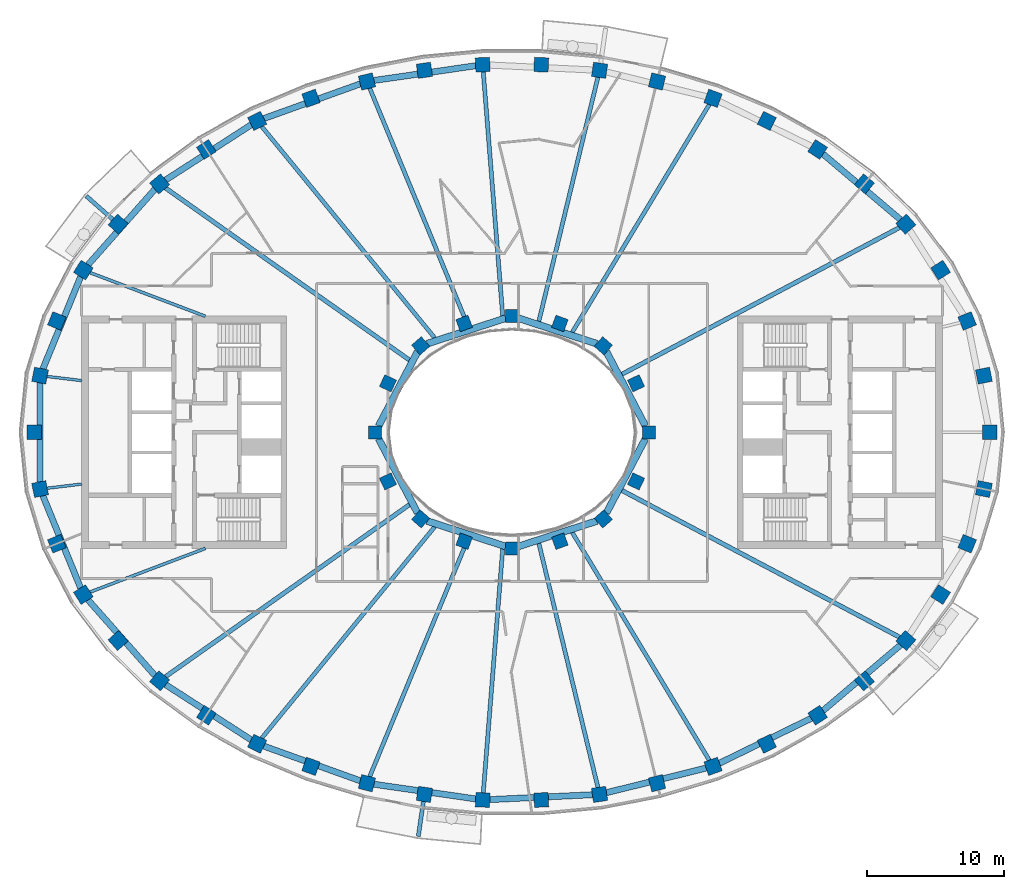
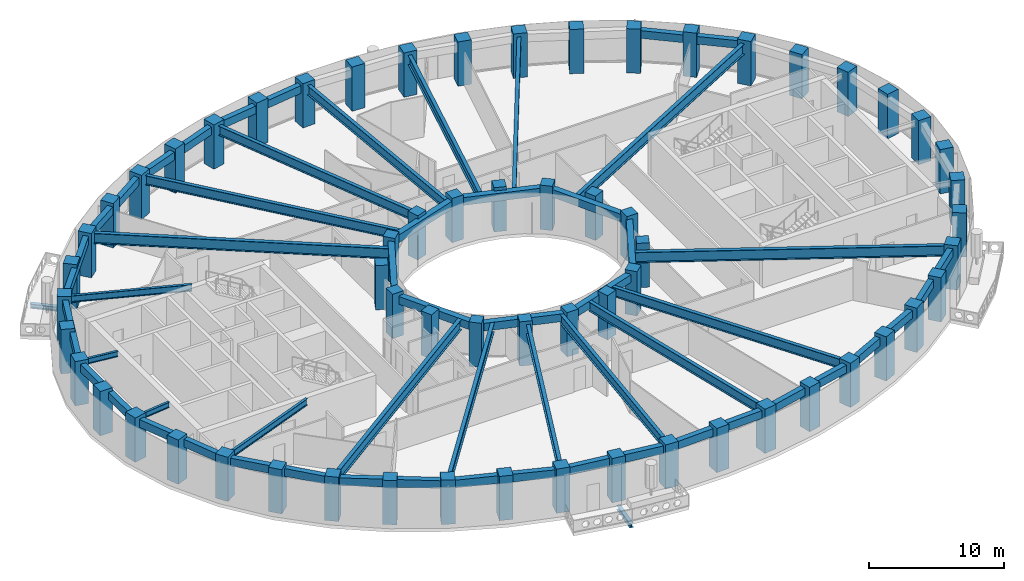
# One storey, part 1 of 16: 62 columns, 44 beams.
"""IFC4 building model written with IfcOpenShell, lengths in metres."""

from ifc_helpers import new_model, si_unit, direction, frame, origin, origin_2d, place, context, subcontext, project, spatial, rectangle, i_section, extrude, material, material_profile, profile_set, type_object, element, save


model = new_model("IFC4")

# Units and contexts
model_context = context("Model", 3, precision=1e-05, world=origin(), true_north=direction((0.0, 1.0)))
body_context = subcontext(model_context, "Body", "Model", "MODEL_VIEW")
ifc_project = project(units=[si_unit("LENGTHUNIT", "METRE"), si_unit("AREAUNIT", "SQUARE_METRE"), si_unit("VOLUMEUNIT", "CUBIC_METRE"), si_unit("PLANEANGLEUNIT", "RADIAN"), si_unit("MASSUNIT", "GRAM", prefix="KILO")], contexts=[model_context])

# Site, building, storey
site_placement = place(None, origin())
site = spatial("IfcSite", under=ifc_project, at=site_placement, CompositionType="ELEMENT")
building_placement = place(site_placement, origin())
building = spatial("IfcBuilding", under=site, at=building_placement, Name="Noorbagh Ring Tower", CompositionType="ELEMENT")
storey_placement = place(building_placement, frame((0.0, 0.0, 261.5)))
storey = spatial("IfcBuildingStorey", under=building, at=storey_placement, Name="L55", CompositionType="ELEMENT", Elevation=261.5)

# Columns
ifc_material_1 = material(Name="Concrete C50/60", Category="concrete")
ifc_material_profile_1 = material_profile(ifc_material_1, rectangle(XDim=1.050048828125, YDim=1.050048828125, at=origin_2d()), Name="RC1050x1050")
ifc_profile_set_1 = profile_set([ifc_material_profile_1], Name="Concrete C50/60")
column_type_1 = type_object("IfcColumnType", Name="STR-COL-RC1050x1050-C50-60", PredefinedType="COLUMN", material=ifc_profile_set_1)
for number, where, z_axis, x_axis, name in (
    (1, (34.944580078125, 0.0, 0.0), (0.0, 0.0, 1.0), (0.0, 1.0, 0.0), "L55/col/R1-01"),
    (2, (34.52685546875, 4.150634765625, 0.0), (0.0, 0.0, 1.0), (-0.19723040178, 0.9803571638, 0.0), "L55/col/R1-02"),
    (3, (33.30517578125, 8.1494140625, 0.0), (0.0, 0.0, 1.0), (-0.378989499959, 0.925400971969, 0.0), "L55/col/R1-03"),
    (4, (31.364990234375, 11.87109375, 0.0), (0.0, 0.0, 1.0), (-0.535190403059, 0.844731455833, 0.0), "L55/col/R1-04"),
    (5, (28.81884765625, 15.23046875, 0.0), (0.0, 0.0, 1.0), (-0.662635642662, 0.748941923699, 0.0), "L55/col/R1-05"),
    (6, (25.78271484375, 18.180419921875, 0.0), (0.0, 0.0, 1.0), (-0.763035199656, 0.646356932419, 0.0), "L55/col/R1-06"),
    (7, (22.362060546875, 20.699951171875, 0.0), (0.0, 0.0, 1.0), (-0.840247639643, 0.542202825586, 0.0), "L55/col/R1-07"),
    (8, (18.646240234375, 22.785400390625, 0.0), (0.0, 0.0, 1.0), (-0.898399080868, 0.439180021741, 0.0), "L55/col/R1-08"),
    (9, (14.70947265625, 24.44091796875, 0.0), (0.0, 0.0, 1.0), (-0.941024726094, 0.338337797003, 0.0), "L55/col/R1-09"),
    (10, (10.61328125, 25.673583984375, 0.0), (0.0, 0.0, 1.0), (-0.970829360981, 0.239771457553, 0.0), "L55/col/R1-10"),
    (11, (6.4091796875, 26.49072265625, 0.0), (0.0, 0.0, 1.0), (-0.989713114048, 0.143066249975, 0.0), "L55/col/R1-11"),
    (12, (2.14306640625, 26.89794921875, 0.0), (0.0, 0.0, 1.0), (-0.998868731212, 0.047552684538, 0.0), "L55/col/R1-12"),
    (13, (-2.14306640625, 26.89794921875, 0.0), (0.0, 0.0, 1.0), (-0.998868731212, -0.047552684538, 0.0), "L55/col/R1-13"),
    (14, (-6.4091796875, 26.49072265625, 0.0), (0.0, 0.0, 1.0), (-0.989713114048, -0.143066249975, 0.0), "L55/col/R1-14"),
    (15, (-10.61328125, 25.673583984375, 0.0), (0.0, 0.0, 1.0), (-0.970829360981, -0.239771457553, 0.0), "L55/col/R1-15"),
    (16, (-14.70947265625, 24.44091796875, 0.0), (0.0, 0.0, 1.0), (-0.941024726094, -0.338337797003, 0.0), "L55/col/R1-16"),
    (17, (-18.646240234375, 22.785400390625, 0.0), (0.0, 0.0, 1.0), (-0.898399080868, -0.439180021741, 0.0), "L55/col/R1-17"),
    (18, (-22.362060546875, 20.699951171875, 0.0), (0.0, 0.0, 1.0), (-0.840247639643, -0.542202825586, 0.0), "L55/col/R1-18"),
    (19, (-25.78271484375, 18.180419921875, 0.0), (0.0, 0.0, 1.0), (-0.763035199656, -0.646356932419, 0.0), "L55/col/R1-19"),
    (20, (-28.81884765625, 15.23046875, 0.0), (0.0, 0.0, 1.0), (-0.662635642662, -0.748941923699, 0.0), "L55/col/R1-20"),
    (21, (-31.364990234375, 11.87109375, 0.0), (0.0, 0.0, 1.0), (-0.535190403059, -0.844731455833, 0.0), "L55/col/R1-21"),
    (22, (-33.30517578125, 8.1494140625, 0.0), (0.0, 0.0, 1.0), (-0.378989499959, -0.925400971969, 0.0), "L55/col/R1-22"),
    (23, (-34.52685546875, 4.150634765625, 0.0), (0.0, 0.0, 1.0), (-0.19723040178, -0.9803571638, 0.0), "L55/col/R1-23"),
    (24, (-34.944580078125, 0.0, 0.0), (0.0, 0.0, 1.0), (0.0, -1.0, 0.0), "L55/col/R1-24"),
    (25, (-34.52685546875, -4.150634765625, 0.0), (0.0, 0.0, 1.0), (0.19723040178, -0.9803571638, 0.0), "L55/col/R1-25"),
    (26, (-33.30517578125, -8.1494140625, 0.0), (0.0, 0.0, 1.0), (0.378989499959, -0.925400971969, 0.0), "L55/col/R1-26"),
    (27, (-31.364990234375, -11.87109375, 0.0), (0.0, 0.0, 1.0), (0.535190403059, -0.844731455833, 0.0), "L55/col/R1-27"),
    (28, (-28.81884765625, -15.23046875, 0.0), (0.0, 0.0, 1.0), (0.662635642662, -0.748941923699, 0.0), "L55/col/R1-28"),
    (29, (-25.78271484375, -18.180419921875, 0.0), (0.0, 0.0, 1.0), (0.763035199656, -0.646356932419, 0.0), "L55/col/R1-29"),
    (30, (-22.362060546875, -20.699951171875, 0.0), (0.0, 0.0, 1.0), (0.840247639643, -0.542202825586, 0.0), "L55/col/R1-30"),
    (31, (-18.646240234375, -22.785400390625, 0.0), (0.0, 0.0, 1.0), (0.898399080868, -0.439180021741, 0.0), "L55/col/R1-31"),
    (32, (-14.70947265625, -24.44091796875, 0.0), (0.0, 0.0, 1.0), (0.941024726094, -0.338337797003, 0.0), "L55/col/R1-32"),
    (33, (-10.61328125, -25.673583984375, 0.0), (0.0, 0.0, 1.0), (0.970829360981, -0.239771457553, 0.0), "L55/col/R1-33"),
    (34, (-6.4091796875, -26.49072265625, 0.0), (0.0, 0.0, 1.0), (0.989713114048, -0.143066249975, 0.0), "L55/col/R1-34"),
    (35, (-2.14306640625, -26.89794921875, 0.0), (0.0, 0.0, 1.0), (0.998868731212, -0.047552684538, 0.0), "L55/col/R1-35"),
    (36, (2.14306640625, -26.89794921875, 0.0), (0.0, 0.0, 1.0), (0.998868731212, 0.047552684538, 0.0), "L55/col/R1-36"),
    (37, (6.4091796875, -26.49072265625, 0.0), (0.0, 0.0, 1.0), (0.989713114048, 0.143066249975, 0.0), "L55/col/R1-37"),
    (38, (10.61328125, -25.673583984375, 0.0), (0.0, 0.0, 1.0), (0.970829360981, 0.239771457553, 0.0), "L55/col/R1-38"),
    (39, (14.70947265625, -24.44091796875, 0.0), (0.0, 0.0, 1.0), (0.941024726094, 0.338337797003, 0.0), "L55/col/R1-39"),
    (40, (18.646240234375, -22.785400390625, 0.0), (0.0, 0.0, 1.0), (0.898399080868, 0.439180021741, 0.0), "L55/col/R1-40"),
    (41, (22.362060546875, -20.699951171875, 0.0), (0.0, 0.0, 1.0), (0.840247639643, 0.542202825586, 0.0), "L55/col/R1-41"),
    (42, (25.78271484375, -18.180419921875, 0.0), (0.0, 0.0, 1.0), (0.763035199656, 0.646356932419, 0.0), "L55/col/R1-42"),
    (43, (28.81884765625, -15.23046875, 0.0), (0.0, 0.0, 1.0), (0.662635642662, 0.748941923699, 0.0), "L55/col/R1-43"),
    (44, (31.364990234375, -11.87109375, 0.0), (0.0, 0.0, 1.0), (0.535190403059, 0.844731455833, 0.0), "L55/col/R1-44"),
    (45, (33.30517578125, -8.1494140625, 0.0), (0.0, 0.0, 1.0), (0.378989499959, 0.925400971969, 0.0), "L55/col/R1-45"),
    (46, (34.52685546875, -4.150634765625, 0.0), (0.0, 0.0, 1.0), (0.19723040178, 0.9803571638, 0.0), "L55/col/R1-46"),
):
    element("IfcColumn", number, at=place(storey_placement, frame(where, z_axis=z_axis, x_axis=x_axis)), inside=storey, type_object=column_type_1, Name=name, PredefinedType="COLUMN", context=body_context, shape_type="SweptSolid", body=[
        extrude(rectangle(XDim=1.050048828125, YDim=1.050048828125, at=origin_2d()), origin(), (0.0, 0.0, 1.0), 4.0),
    ])
ifc_material_2 = material(Name="Concrete C50/60", Category="concrete")
ifc_material_profile_2 = material_profile(ifc_material_2, rectangle(XDim=0.949951171875, YDim=0.949951171875, at=origin_2d()), Name="RC950x950")
ifc_profile_set_2 = profile_set([ifc_material_profile_2], Name="Concrete C50/60")
column_type_2 = type_object("IfcColumnType", Name="STR-ICOL-RC950x950-C50-60", PredefinedType="COLUMN", material=ifc_profile_set_2)
for number, where, z_axis, x_axis, name in (
    (47, (10.00830078125, 0.0, 0.0), (0.0, 0.0, 1.0), (0.0, 1.0, 0.0), "L55/col/IR2-W01"),
    (48, (9.07568359375, 3.58837890625, 0.0), (0.0, 0.0, 1.0), (-0.428666979171, 0.903462573087, 0.0), "L55/col/IR2-W03"),
    (49, (6.68212890625, 6.333740234375, 0.0), (0.0, 0.0, 1.0), (-0.75102249095, 0.660276622399, 0.0), "L55/col/IR2-W05"),
    (50, (3.5009765625, 7.967041015625, 0.0), (0.0, 0.0, 1.0), (-0.939019578916, 0.343863679984, 0.0), "L55/col/IR2-W07"),
    (51, (0.0, 8.5029296875, 0.0), (0.0, 0.0, 1.0), (-1.0, 0.0, 0.0), "L55/col/IR2-W09"),
    (52, (-3.5009765625, 7.967041015625, 0.0), (0.0, 0.0, 1.0), (-0.939019578916, -0.343863679984, 0.0), "L55/col/IR2-W11"),
    (53, (-6.68212890625, 6.333740234375, 0.0), (0.0, 0.0, 1.0), (-0.75102249095, -0.660276622399, 0.0), "L55/col/IR2-W13"),
    (54, (-9.07568359375, 3.58837890625, 0.0), (0.0, 0.0, 1.0), (-0.428666979171, -0.903462573087, 0.0), "L55/col/IR2-W15"),
    (55, (-10.00830078125, 0.0, 0.0), (0.0, 0.0, 1.0), (0.0, -1.0, 0.0), "L55/col/IR2-W17"),
    (56, (-9.07568359375, -3.58837890625, 0.0), (0.0, 0.0, 1.0), (0.428666979171, -0.903462573087, 0.0), "L55/col/IR2-W19"),
    (57, (-6.68212890625, -6.333740234375, 0.0), (0.0, 0.0, 1.0), (0.75102249095, -0.660276622399, 0.0), "L55/col/IR2-W21"),
    (58, (-3.5009765625, -7.967041015625, 0.0), (0.0, 0.0, 1.0), (0.939019578916, -0.343863679984, 0.0), "L55/col/IR2-W23"),
    (59, (0.0, -8.5029296875, 0.0), (0.0, 0.0, 1.0), (1.0, 0.0, 0.0), "L55/col/IR2-W25"),
    (60, (3.5009765625, -7.967041015625, 0.0), (0.0, 0.0, 1.0), (0.939019578916, 0.343863679984, 0.0), "L55/col/IR2-W27"),
    (61, (6.68212890625, -6.333740234375, 0.0), (0.0, 0.0, 1.0), (0.75102249095, 0.660276622399, 0.0), "L55/col/IR2-W29"),
    (62, (9.07568359375, -3.58837890625, 0.0), (0.0, 0.0, 1.0), (0.428666979171, 0.903462573087, 0.0), "L55/col/IR2-W31"),
):
    element("IfcColumn", number, at=place(storey_placement, frame(where, z_axis=z_axis, x_axis=x_axis)), inside=storey, type_object=column_type_2, Name=name, PredefinedType="COLUMN", context=body_context, shape_type="SweptSolid", body=[
        extrude(rectangle(XDim=0.949951171875, YDim=0.949951171875, at=origin_2d()), origin(), (0.0, 0.0, 1.0), 4.0),
    ])

# Beams
ifc_material_3 = material(Name="Steel S355", Category="steel")
ifc_material_profile_3 = material_profile(ifc_material_3, i_section(OverallWidth=0.300048828125, OverallDepth=0.39990234375, WebThickness=0.013427734375, FlangeThickness=0.02392578125, FilletRadius=0.027099609375, at=origin_2d()), Name="HEB400")
ifc_profile_set_3 = profile_set([ifc_material_profile_3], Name="Steel S355")
beam_type_1 = type_object("IfcBeamType", Name="STR-BALCONY-BRACKET-HEB400", PredefinedType="BEAM", material=ifc_profile_set_3)
beam_1_placement = place(storey_placement, frame((-29.197021484375, 15.565185546875, -0.5), z_axis=(-0.749087807423, 0.662470721444, 0.0), x_axis=(-0.662470721444, -0.749087807423, 0.0)))
element("IfcBeam", 63, at=beam_1_placement, inside=storey, type_object=beam_type_1, Name="Balcony bracket beam BN06", PredefinedType="BEAM", context=body_context, shape_type="SweptSolid", body=[
    extrude(i_section(OverallWidth=0.300048828125, OverallDepth=0.39990234375, WebThickness=0.013427734375, FlangeThickness=0.02392578125, FilletRadius=0.027099609375, at=origin_2d()), origin(), (0.0, 0.0, 1.0), 2.6044921875),
])
beam_2_placement = place(storey_placement, frame((-6.4814453125, -26.99072265625, -0.5), z_axis=(-0.143078349205, -0.989711364989, 0.0), x_axis=(0.989711364989, -0.143078349205, 0.0)))
element("IfcBeam", 64, at=beam_2_placement, inside=storey, type_object=beam_type_1, Name="Balcony bracket beam BS03", PredefinedType="BEAM", context=body_context, shape_type="SweptSolid", body=[
    extrude(i_section(OverallWidth=0.300048828125, OverallDepth=0.39990234375, WebThickness=0.013427734375, FlangeThickness=0.02392578125, FilletRadius=0.027099609375, at=origin_2d()), origin(), (0.0, 0.0, 1.0), 2.598876953125),
])
ifc_material_4 = material(Name="Steel S355", Category="steel")
ifc_material_profile_4 = material_profile(ifc_material_4, i_section(OverallWidth=0.199951171875, OverallDepth=0.5, WebThickness=0.01025390625, FlangeThickness=0.01611328125, FilletRadius=0.02099609375, at=origin_2d()), Name="IPE500")
ifc_profile_set_4 = profile_set([ifc_material_profile_4], Name="Steel S355")
beam_type_2 = type_object("IfcBeamType", Name="STR-RAD-IPE500", PredefinedType="BEAM", material=ifc_profile_set_4)
for number, where, z_axis, x_axis, name in (
    (65, (-34.023681640625, 4.090087890625, 3.449951171875), (0.992856079473, -0.119318085189, 0.0), (0.119318085189, 0.992856079473, 0.0), "L55/bm/RD23"),
    (66, (-34.023681640625, -4.090087890625, 3.449951171875), (0.992856079473, 0.119318085189, 0.0), (-0.119318085189, 0.992856079473, 0.0), "L55/bm/RD25"),
):
    element("IfcBeam", number, at=place(storey_placement, frame(where, z_axis=z_axis, x_axis=x_axis)), inside=storey, type_object=beam_type_2, Name=name, PredefinedType="BEAM", context=body_context, shape_type="SweptSolid", body=[
        extrude(i_section(OverallWidth=0.199951171875, OverallDepth=0.5, WebThickness=0.01025390625, FlangeThickness=0.01611328125, FilletRadius=0.02099609375, at=origin_2d()), origin(), (0.0, 0.0, 1.0), 2.561767578125),
    ])
ifc_material_5 = material(Name="Steel S355", Category="steel")
ifc_material_profile_5 = material_profile(ifc_material_5, i_section(OverallWidth=0.219970703125, OverallDepth=0.60009765625, WebThickness=0.011962890625, FlangeThickness=0.01904296875, FilletRadius=0.02392578125, at=origin_2d()), Name="IPE600")
ifc_profile_set_5 = profile_set([ifc_material_profile_5], Name="Steel S355")
beam_type_3 = type_object("IfcBeamType", Name="STR-RAD-IPE600", PredefinedType="BEAM", material=ifc_profile_set_5)
for number, where, z_axis, x_axis, name in (
    (67, (-30.88232421875, 11.688232421875, 3.39990234375), (0.93525673757, -0.353970104431, 0.0), (0.353970104431, 0.93525673757, 0.0), "L55/bm/RD21"),
    (68, (-30.88232421875, -11.688232421875, 3.39990234375), (0.93525673757, 0.353970104431, 0.0), (-0.353970104431, 0.93525673757, 0.0), "L55/bm/RD27"),
):
    element("IfcBeam", number, at=place(storey_placement, frame(where, z_axis=z_axis, x_axis=x_axis)), inside=storey, type_object=beam_type_3, Name=name, PredefinedType="BEAM", context=body_context, shape_type="SweptSolid", body=[
        extrude(i_section(OverallWidth=0.219970703125, OverallDepth=0.60009765625, WebThickness=0.011962890625, FlangeThickness=0.01904296875, FilletRadius=0.02392578125, at=origin_2d()), origin(), (0.0, 0.0, 1.0), 9.027099609375),
    ])
ifc_material_6 = material(Name="Steel S355", Category="steel")
ifc_material_profile_6 = material_profile(ifc_material_6, i_section(OverallWidth=0.300048828125, OverallDepth=0.85009765625, WebThickness=0.013916015625, FlangeThickness=0.028076171875, at=origin_2d()), Name="PG850x300x14x28")
ifc_profile_set_6 = profile_set([ifc_material_profile_6], Name="Steel S355")
beam_type_4 = type_object("IfcBeamType", Name="STR-RAD-PG850x300x14x28", PredefinedType="BEAM", material=ifc_profile_set_6)
beam_3_placement = place(storey_placement, frame((14.44384765625, 23.999267578125, 3.27490234375), z_axis=(-0.515656906989, -0.856795164712, 0.0), x_axis=(0.856795164712, -0.515656906989, 0.0)))
element("IfcBeam", 69, at=beam_3_placement, inside=storey, type_object=beam_type_4, Name="L55/bm/RD09", PredefinedType="BEAM", context=body_context, shape_type="SweptSolid", body=[
    extrude(i_section(OverallWidth=0.300048828125, OverallDepth=0.85009765625, WebThickness=0.013916015625, FlangeThickness=0.028076171875, at=origin_2d()), origin(), (0.0, 0.0, 1.0), 19.471923828125),
])
beam_4_placement = place(storey_placement, frame((6.2900390625, 25.997802734375, 3.27490234375), z_axis=(-0.23516000693, -0.971956671432, 0.0), x_axis=(0.971956671432, -0.23516000693, 0.0)))
element("IfcBeam", 70, at=beam_4_placement, inside=storey, type_object=beam_type_4, Name="L55/bm/RD11", PredefinedType="BEAM", context=body_context, shape_type="SweptSolid", body=[
    extrude(i_section(OverallWidth=0.300048828125, OverallDepth=0.85009765625, WebThickness=0.013916015625, FlangeThickness=0.028076171875, at=origin_2d()), origin(), (0.0, 0.0, 1.0), 18.406005859375),
])
beam_5_placement = place(storey_placement, frame((-2.10302734375, 26.394287109375, 3.27490234375), z_axis=(0.079426932636, -0.996840690568, 0.0), x_axis=(0.996840690568, 0.079426932636, 0.0)))
element("IfcBeam", 71, at=beam_5_placement, inside=storey, type_object=beam_type_4, Name="L55/bm/RD13", PredefinedType="BEAM", context=body_context, shape_type="SweptSolid", body=[
    extrude(i_section(OverallWidth=0.300048828125, OverallDepth=0.85009765625, WebThickness=0.013916015625, FlangeThickness=0.028076171875, at=origin_2d()), origin(), (0.0, 0.0, 1.0), 17.92626953125),
])
beam_6_placement = place(storey_placement, frame((-10.41796875, 25.201416015625, 3.27490234375), z_axis=(0.382034660206, -0.924147995941, 0.0), x_axis=(0.924147995941, 0.382034660206, 0.0)))
element("IfcBeam", 72, at=beam_6_placement, inside=storey, type_object=beam_type_4, Name="L55/bm/RD15", PredefinedType="BEAM", context=body_context, shape_type="SweptSolid", body=[
    extrude(i_section(OverallWidth=0.300048828125, OverallDepth=0.85009765625, WebThickness=0.013916015625, FlangeThickness=0.028076171875, at=origin_2d()), origin(), (0.0, 0.0, 1.0), 18.9267578125),
])
for number, where, z_axis, x_axis, name in (
    (73, (-18.3173828125, 22.383544921875, 3.27490234375), (0.633312925982, -0.77389581843, 0.0), (0.77389581843, 0.633312925982, 0.0), "L55/bm/RD17"),
    (74, (-18.3173828125, -22.383544921875, 3.27490234375), (0.633312925982, 0.77389581843, 0.0), (-0.77389581843, 0.633312925982, 0.0), "L55/bm/RD31"),
):
    element("IfcBeam", number, at=place(storey_placement, frame(where, z_axis=z_axis, x_axis=x_axis)), inside=storey, type_object=beam_type_4, Name=name, PredefinedType="BEAM", context=body_context, shape_type="SweptSolid", body=[
        extrude(i_section(OverallWidth=0.300048828125, OverallDepth=0.85009765625, WebThickness=0.013916015625, FlangeThickness=0.028076171875, at=origin_2d()), origin(), (0.0, 0.0, 1.0), 19.993896484375),
    ])
beam_7_placement = place(storey_placement, frame((-10.41796875, -25.201416015625, 3.27490234375), z_axis=(0.382034660206, 0.924147995941, 0.0), x_axis=(-0.924147995941, 0.382034660206, 0.0)))
element("IfcBeam", 75, at=beam_7_placement, inside=storey, type_object=beam_type_4, Name="L55/bm/RD33", PredefinedType="BEAM", context=body_context, shape_type="SweptSolid", body=[
    extrude(i_section(OverallWidth=0.300048828125, OverallDepth=0.85009765625, WebThickness=0.013916015625, FlangeThickness=0.028076171875, at=origin_2d()), origin(), (0.0, 0.0, 1.0), 18.9267578125),
])
beam_8_placement = place(storey_placement, frame((-2.10302734375, -26.394287109375, 3.27490234375), z_axis=(0.079426932636, 0.996840690568, 0.0), x_axis=(-0.996840690568, 0.079426932636, 0.0)))
element("IfcBeam", 76, at=beam_8_placement, inside=storey, type_object=beam_type_4, Name="L55/bm/RD35", PredefinedType="BEAM", context=body_context, shape_type="SweptSolid", body=[
    extrude(i_section(OverallWidth=0.300048828125, OverallDepth=0.85009765625, WebThickness=0.013916015625, FlangeThickness=0.028076171875, at=origin_2d()), origin(), (0.0, 0.0, 1.0), 17.92626953125),
])
beam_9_placement = place(storey_placement, frame((6.2900390625, -25.997802734375, 3.27490234375), z_axis=(-0.23516000693, 0.971956671432, 0.0), x_axis=(-0.971956671432, -0.23516000693, 0.0)))
element("IfcBeam", 77, at=beam_9_placement, inside=storey, type_object=beam_type_4, Name="L55/bm/RD37", PredefinedType="BEAM", context=body_context, shape_type="SweptSolid", body=[
    extrude(i_section(OverallWidth=0.300048828125, OverallDepth=0.85009765625, WebThickness=0.013916015625, FlangeThickness=0.028076171875, at=origin_2d()), origin(), (0.0, 0.0, 1.0), 18.406005859375),
])
beam_10_placement = place(storey_placement, frame((14.44384765625, -23.999267578125, 3.27490234375), z_axis=(-0.515656906989, 0.856795164712, 0.0), x_axis=(-0.856795164712, -0.515656906989, 0.0)))
element("IfcBeam", 78, at=beam_10_placement, inside=storey, type_object=beam_type_4, Name="L55/bm/RD39", PredefinedType="BEAM", context=body_context, shape_type="SweptSolid", body=[
    extrude(i_section(OverallWidth=0.300048828125, OverallDepth=0.85009765625, WebThickness=0.013916015625, FlangeThickness=0.028076171875, at=origin_2d()), origin(), (0.0, 0.0, 1.0), 19.471923828125),
])
ifc_material_7 = material(Name="Steel S355", Category="steel")
ifc_material_profile_7 = material_profile(ifc_material_7, i_section(OverallWidth=0.320068359375, OverallDepth=0.949951171875, WebThickness=0.01611328125, FlangeThickness=0.030029296875, at=origin_2d()), Name="PG950x320x16x30")
ifc_profile_set_7 = profile_set([ifc_material_profile_7], Name="Steel S355")
beam_type_5 = type_object("IfcBeamType", Name="STR-RAD-PG950x320x16x30", PredefinedType="BEAM", material=ifc_profile_set_7)
beam_11_placement = place(storey_placement, frame((28.35888671875, 14.9873046875, 3.22509765625), z_axis=(-0.884128728226, -0.467243396878, 0.0), x_axis=(0.467243396878, -0.884128728226, 0.0)))
element("IfcBeam", 79, at=beam_11_placement, inside=storey, type_object=beam_type_5, Name="L55/bm/RD05", PredefinedType="BEAM", context=body_context, shape_type="SweptSolid", body=[
    extrude(i_section(OverallWidth=0.320068359375, OverallDepth=0.949951171875, WebThickness=0.01611328125, FlangeThickness=0.030029296875, at=origin_2d()), origin(), (0.0, 0.0, 1.0), 22.98486328125),
])
for number, where, z_axis, x_axis, name in (
    (80, (-25.355712890625, 17.87939453125, 3.22509765625), (0.817252873121, -0.57627922171, 0.0), (0.57627922171, 0.817252873121, 0.0), "L55/bm/RD19"),
    (81, (-25.355712890625, -17.87939453125, 3.22509765625), (0.817252873121, 0.57627922171, 0.0), (-0.57627922171, 0.817252873121, 0.0), "L55/bm/RD29"),
):
    element("IfcBeam", number, at=place(storey_placement, frame(where, z_axis=z_axis, x_axis=x_axis)), inside=storey, type_object=beam_type_5, Name=name, PredefinedType="BEAM", context=body_context, shape_type="SweptSolid", body=[
        extrude(i_section(OverallWidth=0.320068359375, OverallDepth=0.949951171875, WebThickness=0.01611328125, FlangeThickness=0.030029296875, at=origin_2d()), origin(), (0.0, 0.0, 1.0), 21.8564453125),
    ])
beam_12_placement = place(storey_placement, frame((28.35888671875, -14.9873046875, 3.22509765625), z_axis=(-0.884128728226, 0.467243396878, 0.0), x_axis=(-0.467243396878, -0.884128728226, 0.0)))
element("IfcBeam", 82, at=beam_12_placement, inside=storey, type_object=beam_type_5, Name="L55/bm/RD43", PredefinedType="BEAM", context=body_context, shape_type="SweptSolid", body=[
    extrude(i_section(OverallWidth=0.320068359375, OverallDepth=0.949951171875, WebThickness=0.01611328125, FlangeThickness=0.030029296875, at=origin_2d()), origin(), (0.0, 0.0, 1.0), 22.98486328125),
])
ifc_material_8 = material(Name="Concrete C40/50", Category="concrete")
ifc_material_profile_8 = material_profile(ifc_material_8, rectangle(XDim=0.5, YDim=0.699951171875, at=origin_2d()), Name="RC500x700")
ifc_profile_set_8 = profile_set([ifc_material_profile_8], Name="Concrete C40/50")
beam_type_6 = type_object("IfcBeamType", Name="STR-RB-RC500x700-C40-50", PredefinedType="BEAM", material=ifc_profile_set_8)
beam_13_placement = place(storey_placement, frame((9.768310546875, 0.457275390625, 3.35009765625), z_axis=(-0.464944392106, 0.885339885157, 0.0), x_axis=(-0.885339885157, -0.464944392106, 0.0)))
element("IfcBeam", 83, at=beam_13_placement, inside=storey, type_object=beam_type_6, Name="L55/bm/RG01", PredefinedType="BEAM", context=body_context, shape_type="SweptSolid", body=[
    extrude(rectangle(XDim=0.5, YDim=0.699951171875, at=origin_2d()), origin(), (0.0, 0.0, 1.0), 6.14892578125),
])
for number, where, z_axis, x_axis, name in (
    (84, (6.209228515625, 6.4873046875, 3.35009765625), (-0.951148201425, 0.308734673995, 0.0), (-0.308734673995, -0.951148201425, 0.0), "L55/bm/RG03"),
    (85, (-0.4560546875, 8.354736328125, 3.35009765625), (-0.951148201425, -0.308734673995, 0.0), (0.308734673995, -0.951148201425, 0.0), "L55/bm/RG05"),
):
    element("IfcBeam", number, at=place(storey_placement, frame(where, z_axis=z_axis, x_axis=x_axis)), inside=storey, type_object=beam_type_6, Name=name, PredefinedType="BEAM", context=body_context, shape_type="SweptSolid", body=[
        extrude(rectangle(XDim=0.5, YDim=0.699951171875, at=origin_2d()), origin(), (0.0, 0.0, 1.0), 6.048583984375),
    ])
for number, where, z_axis, x_axis, name in (
    (86, (-6.909423828125, 5.901123046875, 3.35009765625), (-0.464944392106, -0.885339885157, 0.0), (0.885339885157, -0.464944392106, 0.0), "L55/bm/RG07"),
    (87, (-9.768310546875, -0.457275390625, 3.35009765625), (0.464944392106, -0.885339885157, 0.0), (0.885339885157, 0.464944392106, 0.0), "L55/bm/RG09"),
):
    element("IfcBeam", number, at=place(storey_placement, frame(where, z_axis=z_axis, x_axis=x_axis)), inside=storey, type_object=beam_type_6, Name=name, PredefinedType="BEAM", context=body_context, shape_type="SweptSolid", body=[
        extrude(rectangle(XDim=0.5, YDim=0.699951171875, at=origin_2d()), origin(), (0.0, 0.0, 1.0), 6.14892578125),
    ])
for number, where, z_axis, x_axis, name in (
    (88, (-6.209228515625, -6.4873046875, 3.35009765625), (0.951148201425, -0.308734673995, 0.0), (0.308734673995, 0.951148201425, 0.0), "L55/bm/RG11"),
    (89, (0.4560546875, -8.354736328125, 3.35009765625), (0.951148201425, 0.308734673995, 0.0), (-0.308734673995, 0.951148201425, 0.0), "L55/bm/RG13"),
):
    element("IfcBeam", number, at=place(storey_placement, frame(where, z_axis=z_axis, x_axis=x_axis)), inside=storey, type_object=beam_type_6, Name=name, PredefinedType="BEAM", context=body_context, shape_type="SweptSolid", body=[
        extrude(rectangle(XDim=0.5, YDim=0.699951171875, at=origin_2d()), origin(), (0.0, 0.0, 1.0), 6.048583984375),
    ])
beam_14_placement = place(storey_placement, frame((6.909423828125, -5.901123046875, 3.35009765625), z_axis=(0.464944392106, 0.885339885157, 0.0), x_axis=(-0.885339885157, 0.464944392106, 0.0)))
element("IfcBeam", 90, at=beam_14_placement, inside=storey, type_object=beam_type_6, Name="L55/bm/RG15", PredefinedType="BEAM", context=body_context, shape_type="SweptSolid", body=[
    extrude(rectangle(XDim=0.5, YDim=0.699951171875, at=origin_2d()), origin(), (0.0, 0.0, 1.0), 6.14892578125),
])
ifc_material_9 = material(Name="Concrete C40/50", Category="concrete")
ifc_material_profile_9 = material_profile(ifc_material_9, rectangle(XDim=0.449951171875, YDim=0.699951171875, at=origin_2d()), Name="RC450x700")
ifc_profile_set_9 = profile_set([ifc_material_profile_9], Name="Concrete C40/50")
beam_type_7 = type_object("IfcBeamType", Name="STR-SB-RC450x700-C40-50", PredefinedType="BEAM", material=ifc_profile_set_9)
beam_15_placement = place(storey_placement, frame((28.42919921875, 15.560546875, 3.35009765625), z_axis=(-0.76304148439, 0.646349513111, 0.0), x_axis=(-0.646349513111, -0.76304148439, 0.0)))
element("IfcBeam", 91, at=beam_15_placement, inside=storey, type_object=beam_type_7, Name="L55/bm/SP05", PredefinedType="BEAM", context=body_context, shape_type="SweptSolid", body=[
    extrude(rectangle(XDim=0.449951171875, YDim=0.699951171875, at=origin_2d()), origin(), (0.0, 0.0, 1.0), 7.44189453125),
])
beam_16_placement = place(storey_placement, frame((-2.6455078125, 26.825439453125, 3.35009765625), z_axis=(-0.989713798568, -0.143061514477, 0.0), x_axis=(0.143061514477, -0.989713798568, 0.0)))
element("IfcBeam", 92, at=beam_16_placement, inside=storey, type_object=beam_type_7, Name="L55/bm/SP13", PredefinedType="BEAM", context=body_context, shape_type="SweptSolid", body=[
    extrude(rectangle(XDim=0.449951171875, YDim=0.699951171875, at=origin_2d()), origin(), (0.0, 0.0, 1.0), 7.54296875),
])
beam_17_placement = place(storey_placement, frame((-11.091064453125, 25.501708984375, 3.35009765625), z_axis=(-0.941025143763, -0.33833663533, 0.0), x_axis=(0.33833663533, -0.941025143763, 0.0)))
element("IfcBeam", 93, at=beam_17_placement, inside=storey, type_object=beam_type_7, Name="L55/bm/SP15", PredefinedType="BEAM", context=body_context, shape_type="SweptSolid", body=[
    extrude(rectangle(XDim=0.449951171875, YDim=0.699951171875, at=origin_2d()), origin(), (0.0, 0.0, 1.0), 7.5205078125),
])
beam_18_placement = place(storey_placement, frame((-19.07373046875, 22.509521484375, 3.35009765625), z_axis=(-0.840252970371, -0.542194564509, 0.0), x_axis=(0.542194564509, -0.840252970371, 0.0)))
element("IfcBeam", 94, at=beam_18_placement, inside=storey, type_object=beam_type_7, Name="L55/bm/SP17", PredefinedType="BEAM", context=body_context, shape_type="SweptSolid", body=[
    extrude(rectangle(XDim=0.449951171875, YDim=0.699951171875, at=origin_2d()), origin(), (0.0, 0.0, 1.0), 7.47509765625),
])
beam_19_placement = place(storey_placement, frame((-26.12109375, 17.798095703125, 3.35009765625), z_axis=(-0.662613733697, -0.748961307356, 0.0), x_axis=(0.748961307356, -0.662613733697, 0.0)))
element("IfcBeam", 95, at=beam_19_placement, inside=storey, type_object=beam_type_7, Name="L55/bm/SP19", PredefinedType="BEAM", context=body_context, shape_type="SweptSolid", body=[
    extrude(rectangle(XDim=0.449951171875, YDim=0.699951171875, at=origin_2d()), origin(), (0.0, 0.0, 1.0), 7.402099609375),
])
beam_20_placement = place(storey_placement, frame((-31.5595703125, 11.39599609375, 3.35009765625), z_axis=(-0.378991512565, -0.925400147722, 0.0), x_axis=(0.925400147722, -0.378991512565, 0.0)))
element("IfcBeam", 96, at=beam_20_placement, inside=storey, type_object=beam_type_7, Name="L55/bm/SP21", PredefinedType="BEAM", context=body_context, shape_type="SweptSolid", body=[
    extrude(rectangle(XDim=0.449951171875, YDim=0.699951171875, at=origin_2d()), origin(), (0.0, 0.0, 1.0), 7.314697265625),
])
beam_21_placement = place(storey_placement, frame((-34.52685546875, 3.63525390625, 3.35009765625), z_axis=(0.0, -1.0, 0.0), x_axis=(1.0, 0.0, 0.0)))
element("IfcBeam", 97, at=beam_21_placement, inside=storey, type_object=beam_type_7, Name="L55/bm/SP23", PredefinedType="BEAM", context=body_context, shape_type="SweptSolid", body=[
    extrude(rectangle(XDim=0.449951171875, YDim=0.699951171875, at=origin_2d()), origin(), (0.0, 0.0, 1.0), 7.2705078125),
])
beam_22_placement = place(storey_placement, frame((-34.331787109375, -4.626953125, 3.35009765625), z_axis=(0.378991512565, -0.925400147722, 0.0), x_axis=(0.925400147722, 0.378991512565, 0.0)))
element("IfcBeam", 98, at=beam_22_placement, inside=storey, type_object=beam_type_7, Name="L55/bm/SP25", PredefinedType="BEAM", context=body_context, shape_type="SweptSolid", body=[
    extrude(rectangle(XDim=0.449951171875, YDim=0.699951171875, at=origin_2d()), origin(), (0.0, 0.0, 1.0), 7.314697265625),
])
beam_23_placement = place(storey_placement, frame((-31.02587890625, -12.254150390625, 3.35009765625), z_axis=(0.662613733697, -0.748961307356, 0.0), x_axis=(0.748961307356, 0.662613733697, 0.0)))
element("IfcBeam", 99, at=beam_23_placement, inside=storey, type_object=beam_type_7, Name="L55/bm/SP27", PredefinedType="BEAM", context=body_context, shape_type="SweptSolid", body=[
    extrude(rectangle(XDim=0.449951171875, YDim=0.699951171875, at=origin_2d()), origin(), (0.0, 0.0, 1.0), 7.402099609375),
])
beam_24_placement = place(storey_placement, frame((-25.354736328125, -18.45654296875, 3.35009765625), z_axis=(0.840252970371, -0.542194564509, 0.0), x_axis=(0.542194564509, 0.840252970371, 0.0)))
element("IfcBeam", 100, at=beam_24_placement, inside=storey, type_object=beam_type_7, Name="L55/bm/SP29", PredefinedType="BEAM", context=body_context, shape_type="SweptSolid", body=[
    extrude(rectangle(XDim=0.449951171875, YDim=0.699951171875, at=origin_2d()), origin(), (0.0, 0.0, 1.0), 7.47509765625),
])
beam_25_placement = place(storey_placement, frame((-18.16796875, -22.957275390625, 3.35009765625), z_axis=(0.941025143763, -0.33833663533, 0.0), x_axis=(0.33833663533, 0.941025143763, 0.0)))
element("IfcBeam", 101, at=beam_25_placement, inside=storey, type_object=beam_type_7, Name="L55/bm/SP31", PredefinedType="BEAM", context=body_context, shape_type="SweptSolid", body=[
    extrude(rectangle(XDim=0.449951171875, YDim=0.699951171875, at=origin_2d()), origin(), (0.0, 0.0, 1.0), 7.5205078125),
])
beam_26_placement = place(storey_placement, frame((-10.11083984375, -25.746337890625, 3.35009765625), z_axis=(0.989713798568, -0.143061514477, 0.0), x_axis=(0.143061514477, 0.989713798568, 0.0)))
element("IfcBeam", 102, at=beam_26_placement, inside=storey, type_object=beam_type_7, Name="L55/bm/SP33", PredefinedType="BEAM", context=body_context, shape_type="SweptSolid", body=[
    extrude(rectangle(XDim=0.449951171875, YDim=0.699951171875, at=origin_2d()), origin(), (0.0, 0.0, 1.0), 7.54296875),
])
beam_27_placement = place(storey_placement, frame((-1.636474609375, -26.873779296875, 3.35009765625), z_axis=(0.998868796295, 0.047551317418, 0.0), x_axis=(-0.047551317418, 0.998868796295, 0.0)))
element("IfcBeam", 103, at=beam_27_placement, inside=storey, type_object=beam_type_7, Name="L55/bm/SP35", PredefinedType="BEAM", context=body_context, shape_type="SweptSolid", body=[
    extrude(rectangle(XDim=0.449951171875, YDim=0.699951171875, at=origin_2d()), origin(), (0.0, 0.0, 1.0), 7.54736328125),
])
beam_28_placement = place(storey_placement, frame((6.902099609375, -26.369140625, 3.35009765625), z_axis=(0.970832363292, 0.239759300935, 0.0), x_axis=(-0.239759300935, 0.970832363292, 0.0)))
element("IfcBeam", 104, at=beam_28_placement, inside=storey, type_object=beam_type_7, Name="L55/bm/SP37", PredefinedType="BEAM", context=body_context, shape_type="SweptSolid", body=[
    extrude(rectangle(XDim=0.449951171875, YDim=0.699951171875, at=origin_2d()), origin(), (0.0, 0.0, 1.0), 7.5341796875),
])
beam_29_placement = place(storey_placement, frame((15.166015625, -24.2177734375, 3.35009765625), z_axis=(0.898394634575, 0.439189117087, 0.0), x_axis=(-0.439189117087, 0.898394634575, 0.0)))
element("IfcBeam", 105, at=beam_29_placement, inside=storey, type_object=beam_type_7, Name="L55/bm/SP39", PredefinedType="BEAM", context=body_context, shape_type="SweptSolid", body=[
    extrude(rectangle(XDim=0.449951171875, YDim=0.699951171875, at=origin_2d()), origin(), (0.0, 0.0, 1.0), 7.501220703125),
])
beam_30_placement = place(storey_placement, frame((22.750732421875, -20.37060546875, 3.35009765625), z_axis=(0.76304148439, 0.646349513111, 0.0), x_axis=(-0.646349513111, 0.76304148439, 0.0)))
element("IfcBeam", 106, at=beam_30_placement, inside=storey, type_object=beam_type_7, Name="L55/bm/SP41", PredefinedType="BEAM", context=body_context, shape_type="SweptSolid", body=[
    extrude(rectangle(XDim=0.449951171875, YDim=0.699951171875, at=origin_2d()), origin(), (0.0, 0.0, 1.0), 7.44189453125),
])

save(model, "model.ifc")
